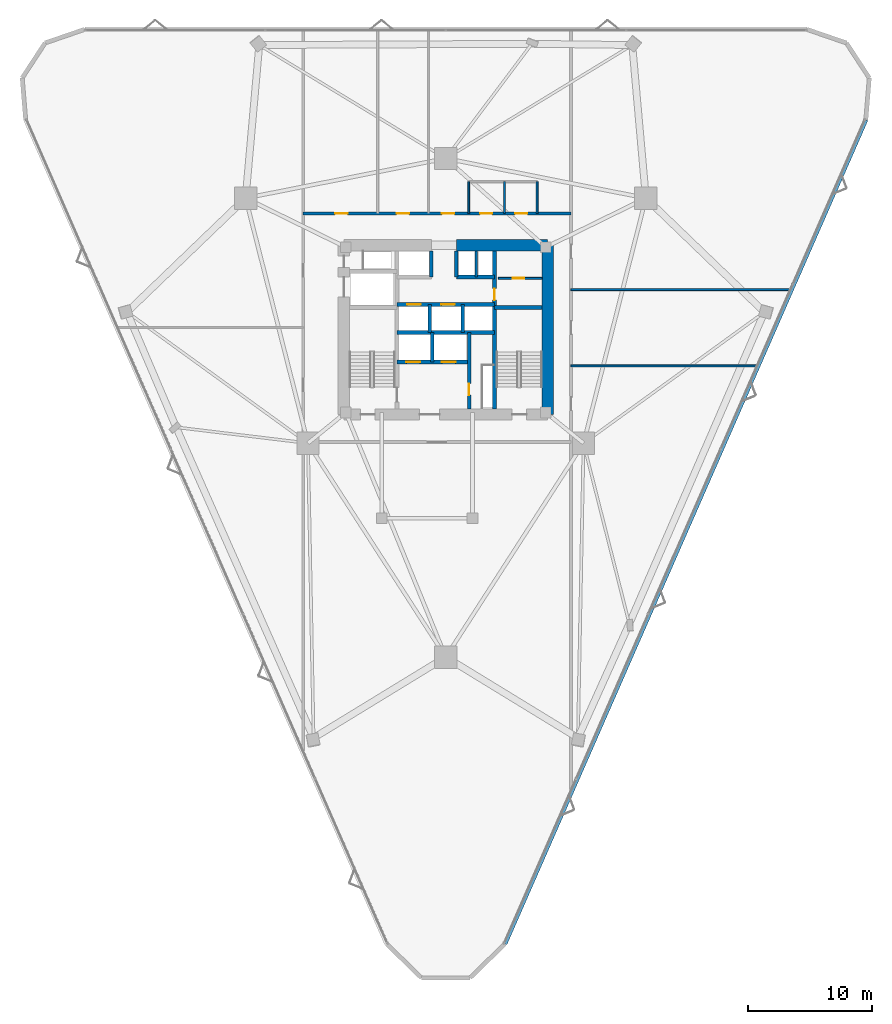
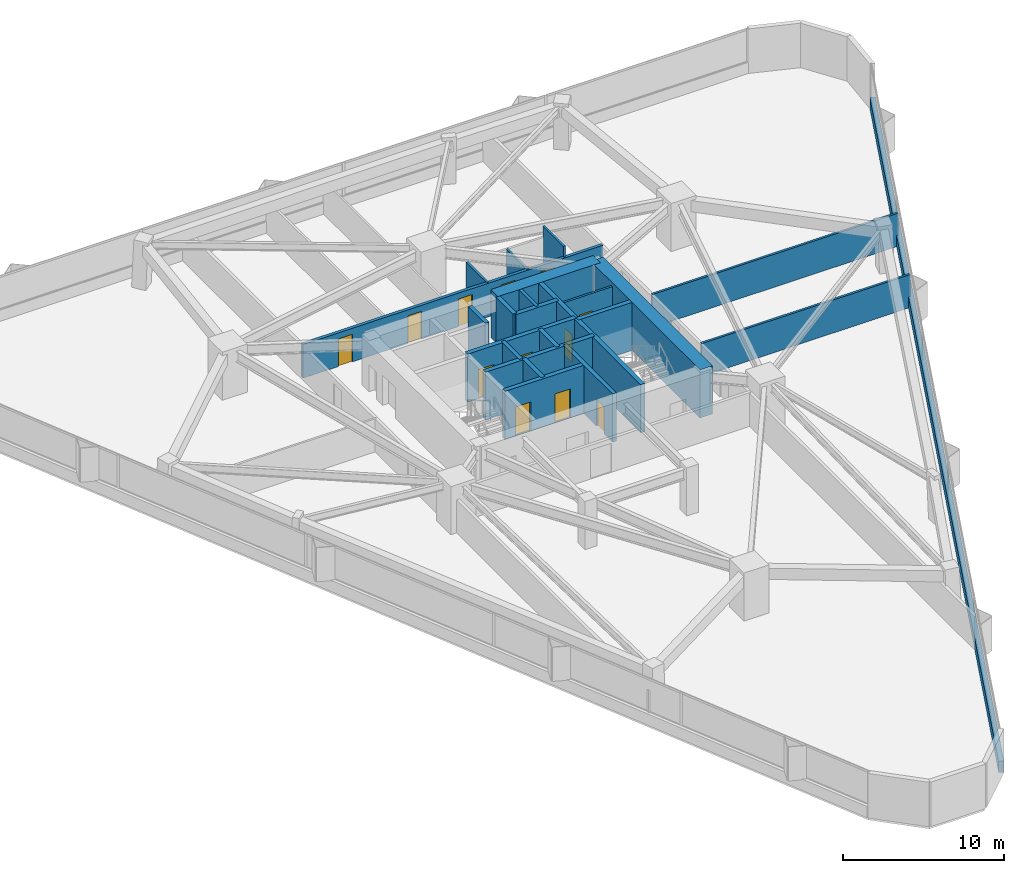
# One storey, part 18 of 20: 23 walls, 12 doors, 12 openings.
"""IFC4 building model written with IfcOpenShell, lengths in metres."""

from ifc_helpers import new_model, si_unit, direction, frame, frame_2d, origin, place, context, subcontext, project, spatial, rectangle, extrude, material, layer, layer_set, type_object, element, fill, save


model = new_model("IFC4")

# Units and contexts
model_context = context("Model", 3, precision=1e-05, world=origin(), true_north=direction((0.0, 1.0)))
body_context = subcontext(model_context, "Body", "Model", "MODEL_VIEW")
ifc_project = project(units=[si_unit("LENGTHUNIT", "METRE"), si_unit("AREAUNIT", "SQUARE_METRE"), si_unit("VOLUMEUNIT", "CUBIC_METRE"), si_unit("PLANEANGLEUNIT", "RADIAN"), si_unit("MASSUNIT", "GRAM", prefix="KILO")], contexts=[model_context])

# Site, building, storey
site_placement = place(None, origin())
site = spatial("IfcSite", under=ifc_project, at=site_placement, CompositionType="ELEMENT")
building_placement = place(site_placement, origin())
building = spatial("IfcBuilding", under=site, at=building_placement, Name="Talyreon Biosciences Tower", CompositionType="ELEMENT")
storey_placement = place(building_placement, frame((0.0, 0.0, 37.39990234375)))
storey = spatial("IfcBuildingStorey", under=building, at=storey_placement, Name="L09", CompositionType="ELEMENT", Elevation=37.39990234375)

# Walls
ifc_material_1 = material(Name="Concrete C50/60", Category="concrete")
ifc_layer_1 = layer(ifc_material_1, 0.219970703125)
ifc_layer_set_1 = layer_set([ifc_layer_1], Name="Concrete C50/60")
wall_type_1 = type_object("IfcWallType", Name="CoreShearWall_220", PredefinedType="SHEAR", material=ifc_layer_set_1)
wall_1_placement = place(storey_placement, frame((68.4599609375, 72.25, 0.0), z_axis=(0.0, 0.0, 1.0), x_axis=(0.0, 1.0, 0.0)))
element("IfcWall", 1, at=wall_1_placement, inside=storey, type_object=wall_type_1, Name="L09 Core Shaft Wall SWPHD", PredefinedType="SHEAR", context=body_context, shape_type="SweptSolid", body=[
    extrude(rectangle(XDim=2.10009765625, YDim=0.219970703125, at=frame_2d((1.050048828125, 0.0))), origin(), (0.0, 0.0, 1.0), 3.650146484375),
])
ifc_layer_2 = layer(ifc_material_1, 0.280029296875)
ifc_layer_set_2 = layer_set([ifc_layer_2], Name="Concrete C50/60")
wall_type_2 = type_object("IfcWallType", Name="CoreShearWall_280", PredefinedType="SHEAR", material=ifc_layer_set_2)
wall_2_placement = place(storey_placement, frame((64.919921875, 65.39990234375, 0.0), z_axis=(0.0, 0.0, 1.0), x_axis=(0.0, 1.0, 0.0)))
element("IfcWall", 2, at=wall_2_placement, inside=storey, type_object=wall_type_2, Name="L09 Core Shaft Wall SWSHD1", PredefinedType="SHEAR", context=body_context, shape_type="SweptSolid", body=[
    extrude(rectangle(XDim=2.400146484375, YDim=0.280029296875, at=frame_2d((1.2001953125, 0.0))), origin(), (0.0, 0.0, 1.0), 3.650146484375),
])
for number, where, z_axis, x_axis, name in (
    (3, (64.85009765625, 72.25, 0.0), (0.0, 0.0, 1.0), (0.0, 1.0, 0.0), "L09 Core Shaft Wall SWTHW"),
    (4, (66.85009765625, 72.25, 0.0), (0.0, 0.0, 1.0), (0.0, 1.0, 0.0), "L09 Core Shaft Wall SWTHE"),
):
    element("IfcWall", number, at=place(storey_placement, frame(where, z_axis=z_axis, x_axis=x_axis)), inside=storey, type_object=wall_type_2, Name=name, PredefinedType="SHEAR", context=body_context, shape_type="SweptSolid", body=[
        extrude(rectangle(XDim=2.10009765625, YDim=0.280029296875, at=frame_2d((1.050048828125, 0.0))), origin(), (0.0, 0.0, 1.0), 3.650146484375),
    ])

# Wall, opening, door
wall_3_placement = place(storey_placement, frame((67.8798828125, 61.64990234375, 0.0), z_axis=(0.0, 0.0, 1.0), x_axis=(0.0, 1.0, 0.0)))
wall_3 = element("IfcWall", 5, at=wall_3_placement, inside=storey, type_object=wall_type_2, Name="L09 Core Shaft Wall SWFFE", PredefinedType="SHEAR", context=body_context, shape_type="SweptSolid", body=[
    extrude(rectangle(XDim=6.150146484375, YDim=0.280029296875, at=frame_2d((3.0751953125, 0.0))), origin(), (0.0, 0.0, 1.0), 3.650146484375),
])
opening_1_placement = place(wall_3_placement, frame((1.10009765625, 0.0, 0.0)))
opening_1 = element("IfcOpeningElement", 6, at=opening_1_placement, cuts=wall_3, Name="Opening DR-L09-RSE", PredefinedType="OPENING", context=body_context, shape_type="SweptSolid", body=[
    extrude(rectangle(XDim=0.919921875, YDim=2.050048828125, at=frame_2d((0.4599609375, 1.02490234375))), frame((0.0, 0.14990234375, 0.0), z_axis=(0.0, -1.0, 0.0), x_axis=(1.0, 0.0, 0.0)), (0.0, 0.0, 1.0), 0.300048828125),
])
ifc_material_2 = material(Name="Painted steel fire-rated riser door", Category="steel")
door_type_1 = type_object("IfcDoorType", Name="RiserPlantAccessDoor_920x2050", OperationType="NOTDEFINED", PredefinedType="DOOR", material=ifc_material_2)
door_1_placement = place(opening_1_placement, origin())
door_1 = element("IfcDoor", 7, at=door_1_placement, inside=storey, type_object=door_type_1, Name="L09 Core Door DR-L09-RSE", OperationType="SINGLE_SWING_RIGHT", OverallHeight=2.050048828125, OverallWidth=0.919921875, PredefinedType="DOOR", context=body_context, shape_type="SweptSolid", body=[
    extrude(rectangle(XDim=0.919921875, YDim=2.050048828125, at=frame_2d((0.4599609375, 1.02490234375))), frame((0.0, 0.02490234375, 0.0), z_axis=(0.0, -1.0, 0.0), x_axis=(1.0, 0.0, 0.0)), (0.0, 0.0, 1.0), 0.050048828125),
])
fill(opening_1, door_1)

# Walls
for number, where, z_axis, x_axis, name in (
    (8, (64.719970703125, 67.800048828125, 0.0), (0.0, 0.0, 1.0), (0.0, 1.0, 0.0), "L09 Core Shaft Wall SWPLD"),
    (9, (67.3798828125, 67.800048828125, 0.0), (0.0, 0.0, 1.0), (0.0, 1.0, 0.0), "L09 Core Shaft Wall SWPMD"),
):
    element("IfcWall", number, at=place(storey_placement, frame(where, z_axis=z_axis, x_axis=x_axis)), inside=storey, type_object=wall_type_2, Name=name, PredefinedType="SHEAR", context=body_context, shape_type="SweptSolid", body=[
        extrude(rectangle(XDim=2.25, YDim=0.280029296875, at=frame_2d((1.125, 0.0))), origin(), (0.0, 0.0, 1.0), 3.650146484375),
    ])

# Wall, opening, door
ifc_layer_3 = layer(ifc_material_1, 0.320068359375)
ifc_layer_set_3 = layer_set([ifc_layer_3], Name="Concrete C50/60")
wall_type_3 = type_object("IfcWallType", Name="CoreShearWall_320", PredefinedType="SHEAR", material=ifc_layer_set_3)
wall_4_placement = place(storey_placement, frame((69.909912109375, 61.64990234375, 0.0), z_axis=(0.0, 0.0, 1.0), x_axis=(0.0, 1.0, 0.0)))
wall_4 = element("IfcWall", 10, at=wall_4_placement, inside=storey, type_object=wall_type_3, Name="L09 Core Shaft Wall SW2W", PredefinedType="SHEAR", context=body_context, shape_type="SweptSolid", body=[
    extrude(rectangle(XDim=12.7001953125, YDim=0.320068359375, at=frame_2d((6.35009765625, 0.0))), origin(), (0.0, 0.0, 1.0), 3.650146484375),
])
opening_2_placement = place(wall_4_placement, frame((8.75, 0.0, 0.0)))
opening_2 = element("IfcOpeningElement", 11, at=opening_2_placement, cuts=wall_4, Name="Opening DR-L09-CSRV", PredefinedType="OPENING", context=body_context, shape_type="SweptSolid", body=[
    extrude(rectangle(XDim=0.919921875, YDim=2.050048828125, at=frame_2d((0.4599609375, 1.02490234375))), frame((0.0, 0.169921875, 0.0), z_axis=(0.0, -1.0, 0.0), x_axis=(1.0, 0.0, 0.0)), (0.0, 0.0, 1.0), 0.340087890625),
])
door_2_placement = place(opening_2_placement, origin())
door_2 = element("IfcDoor", 12, at=door_2_placement, inside=storey, type_object=door_type_1, Name="L09 Core Door DR-L09-CSRV", OperationType="SINGLE_SWING_RIGHT", OverallHeight=2.050048828125, OverallWidth=0.919921875, PredefinedType="DOOR", context=body_context, shape_type="SweptSolid", body=[
    extrude(rectangle(XDim=0.919921875, YDim=2.050048828125, at=frame_2d((0.4599609375, 1.02490234375))), frame((0.0, 0.02490234375, 0.0), z_axis=(0.0, -1.0, 0.0), x_axis=(1.0, 0.0, 0.0)), (0.0, 0.0, 1.0), 0.050048828125),
])
fill(opening_2, door_2)

# Walls
wall_5_placement = place(storey_placement, frame((69.909912109375, 69.81005859375, 0.0), z_axis=(0.0, 0.0, 1.0), x_axis=(1.0, 0.0, 0.0)))
element("IfcWall", 13, at=wall_5_placement, inside=storey, type_object=wall_type_3, Name="L09 Core Shaft Wall SW2N", PredefinedType="SHEAR", context=body_context, shape_type="SweptSolid", body=[
    extrude(rectangle(XDim=3.840087890625, YDim=0.320068359375, at=frame_2d((1.919921875, 0.0))), origin(), (0.0, 0.0, 1.0), 3.650146484375),
])
wall_6_placement = place(storey_placement, frame((62.090087890625, 67.800048828125, 0.0), z_axis=(0.0, 0.0, 1.0), x_axis=(1.0, 0.0, 0.0)))
element("IfcWall", 14, at=wall_6_placement, inside=storey, type_object=wall_type_3, Name="L09 Core Shaft Wall SWSHM", PredefinedType="SHEAR", context=body_context, shape_type="SweptSolid", body=[
    extrude(rectangle(XDim=7.81982421875, YDim=0.320068359375, at=frame_2d((3.909912109375, 0.0))), origin(), (0.0, 0.0, 1.0), 3.650146484375),
])

# Wall, openings, doors
wall_7_placement = place(storey_placement, frame((62.090087890625, 70.050048828125, 0.0), z_axis=(0.0, 0.0, 1.0), x_axis=(1.0, 0.0, 0.0)))
wall_7 = element("IfcWall", 15, at=wall_7_placement, inside=storey, type_object=wall_type_3, Name="L09 Core Shaft Wall SWSPN", PredefinedType="SHEAR", context=body_context, shape_type="SweptSolid", body=[
    extrude(rectangle(XDim=7.81982421875, YDim=0.320068359375, at=frame_2d((3.909912109375, 0.0))), origin(), (0.0, 0.0, 1.0), 3.650146484375),
])
opening_3_placement = place(wall_7_placement, frame((0.800048828125, 0.0, 0.0)))
opening_3 = element("IfcOpeningElement", 16, at=opening_3_placement, cuts=wall_7, Name="Opening LD-L09-PL1", PredefinedType="OPENING", context=body_context, shape_type="SweptSolid", body=[
    extrude(rectangle(XDim=1.10009765625, YDim=2.199951171875, at=frame_2d((0.550048828125, 1.10009765625))), frame((0.0, 0.169921875, 0.0), z_axis=(0.0, -1.0, 0.0), x_axis=(1.0, 0.0, 0.0)), (0.0, 0.0, 1.0), 0.340087890625),
])
opening_4_placement = place(wall_7_placement, frame((3.550048828125, 0.0, 0.0)))
opening_4 = element("IfcOpeningElement", 17, at=opening_4_placement, cuts=wall_7, Name="Opening LD-L09-PL2", PredefinedType="OPENING", context=body_context, shape_type="SweptSolid", body=[
    extrude(rectangle(XDim=1.10009765625, YDim=2.199951171875, at=frame_2d((0.550048828125, 1.10009765625))), frame((0.0, 0.169921875, 0.0), z_axis=(0.0, -1.0, 0.0), x_axis=(1.0, 0.0, 0.0)), (0.0, 0.0, 1.0), 0.340087890625),
])
ifc_material_3 = material(Name="Brushed stainless-steel lift landing door", Category="steel")
door_type_2 = type_object("IfcDoorType", Name="LiftSlidingLandingDoor_1100x2200", OperationType="SLIDING_TO_LEFT", PredefinedType="DOOR", material=ifc_material_3)
door_3_placement = place(opening_3_placement, origin())
door_3 = element("IfcDoor", 18, at=door_3_placement, inside=storey, type_object=door_type_2, Name="L09 Core Door LD-L09-PL1", OperationType="SLIDING_TO_LEFT", OverallHeight=2.199951171875, OverallWidth=1.10009765625, PredefinedType="DOOR", context=body_context, shape_type="SweptSolid", body=[
    extrude(rectangle(XDim=1.10009765625, YDim=2.199951171875, at=frame_2d((0.550048828125, 1.10009765625))), frame((0.0, 0.02490234375, 0.0), z_axis=(0.0, -1.0, 0.0), x_axis=(1.0, 0.0, 0.0)), (0.0, 0.0, 1.0), 0.050048828125),
])
fill(opening_3, door_3)
door_4_placement = place(opening_4_placement, origin())
door_4 = element("IfcDoor", 19, at=door_4_placement, inside=storey, type_object=door_type_2, Name="L09 Core Door LD-L09-PL2", OperationType="SLIDING_TO_LEFT", OverallHeight=2.199951171875, OverallWidth=1.10009765625, PredefinedType="DOOR", context=body_context, shape_type="SweptSolid", body=[
    extrude(rectangle(XDim=1.10009765625, YDim=2.199951171875, at=frame_2d((0.550048828125, 1.10009765625))), frame((0.0, 0.02490234375, 0.0), z_axis=(0.0, -1.0, 0.0), x_axis=(1.0, 0.0, 0.0)), (0.0, 0.0, 1.0), 0.050048828125),
])
fill(opening_4, door_4)

# Wall
wall_8_placement = place(storey_placement, frame((66.85009765625, 72.25, 0.0), z_axis=(0.0, 0.0, 1.0), x_axis=(1.0, 0.0, 0.0)))
element("IfcWall", 20, at=wall_8_placement, inside=storey, type_object=wall_type_3, Name="L09 Core Shaft Wall SWNPE", PredefinedType="SHEAR", context=body_context, shape_type="SweptSolid", body=[
    extrude(rectangle(XDim=3.059814453125, YDim=0.320068359375, at=frame_2d((1.52978515625, 0.0))), origin(), (0.0, 0.0, 1.0), 3.650146484375),
])

# Wall, openings, doors
wall_9_placement = place(storey_placement, frame((62.090087890625, 65.39990234375, 0.0), z_axis=(0.0, 0.0, 1.0), x_axis=(1.0, 0.0, 0.0)))
wall_9 = element("IfcWall", 21, at=wall_9_placement, inside=storey, type_object=wall_type_3, Name="L09 Core Shaft Wall SWFFN", PredefinedType="SHEAR", context=body_context, shape_type="SweptSolid", body=[
    extrude(rectangle(XDim=5.789794921875, YDim=0.320068359375, at=frame_2d((2.89501953125, 0.0))), origin(), (0.0, 0.0, 1.0), 3.650146484375),
])
opening_5_placement = place(wall_9_placement, frame((0.75, 0.0, 0.0)))
opening_5 = element("IfcOpeningElement", 22, at=opening_5_placement, cuts=wall_9, Name="Opening LD-L09-FL1", PredefinedType="OPENING", context=body_context, shape_type="SweptSolid", body=[
    extrude(rectangle(XDim=1.10009765625, YDim=2.199951171875, at=frame_2d((0.550048828125, 1.10009765625))), frame((0.0, 0.169921875, 0.0), z_axis=(0.0, -1.0, 0.0), x_axis=(1.0, 0.0, 0.0)), (0.0, 0.0, 1.0), 0.340087890625),
])
opening_6_placement = place(wall_9_placement, frame((3.60009765625, 0.0, 0.0)))
opening_6 = element("IfcOpeningElement", 23, at=opening_6_placement, cuts=wall_9, Name="Opening LD-L09-FL2", PredefinedType="OPENING", context=body_context, shape_type="SweptSolid", body=[
    extrude(rectangle(XDim=1.10009765625, YDim=2.199951171875, at=frame_2d((0.550048828125, 1.10009765625))), frame((0.0, 0.169921875, 0.0), z_axis=(0.0, -1.0, 0.0), x_axis=(1.0, 0.0, 0.0)), (0.0, 0.0, 1.0), 0.340087890625),
])
door_5_placement = place(opening_5_placement, origin())
door_5 = element("IfcDoor", 24, at=door_5_placement, inside=storey, type_object=door_type_2, Name="L09 Core Door LD-L09-FL1", OperationType="SLIDING_TO_LEFT", OverallHeight=2.199951171875, OverallWidth=1.10009765625, PredefinedType="DOOR", context=body_context, shape_type="SweptSolid", body=[
    extrude(rectangle(XDim=1.10009765625, YDim=2.199951171875, at=frame_2d((0.550048828125, 1.10009765625))), frame((0.0, 0.02490234375, 0.0), z_axis=(0.0, -1.0, 0.0), x_axis=(1.0, 0.0, 0.0)), (0.0, 0.0, 1.0), 0.050048828125),
])
fill(opening_5, door_5)
door_6_placement = place(opening_6_placement, origin())
door_6 = element("IfcDoor", 25, at=door_6_placement, inside=storey, type_object=door_type_2, Name="L09 Core Door LD-L09-FL2", OperationType="SLIDING_TO_LEFT", OverallHeight=2.199951171875, OverallWidth=1.10009765625, PredefinedType="DOOR", context=body_context, shape_type="SweptSolid", body=[
    extrude(rectangle(XDim=1.10009765625, YDim=2.199951171875, at=frame_2d((0.550048828125, 1.10009765625))), frame((0.0, 0.02490234375, 0.0), z_axis=(0.0, -1.0, 0.0), x_axis=(1.0, 0.0, 0.0)), (0.0, 0.0, 1.0), 0.050048828125),
])
fill(opening_6, door_6)

# Walls
ifc_material_4 = material(Name="Concrete C60/75", Category="concrete")
ifc_layer_4 = layer(ifc_material_4, 0.89990234375)
ifc_layer_set_4 = layer_set([ifc_layer_4], Name="Concrete C60/75")
wall_type_4 = type_object("IfcWallType", Name="CoreShearWall_900", PredefinedType="SHEAR", material=ifc_layer_set_4)
wall_10_placement = place(storey_placement, frame((74.199951171875, 61.199951171875, 0.0), z_axis=(0.0, 0.0, 1.0), x_axis=(0.0, 1.0, 0.0)))
element("IfcWall", 26, at=wall_10_placement, inside=storey, type_object=wall_type_4, Name="L09 Core Shear Wall E", PredefinedType="SHEAR", context=body_context, shape_type="SweptSolid", body=[
    extrude(rectangle(XDim=13.60009765625, YDim=0.89990234375, at=frame_2d((6.800048828125, 0.0))), origin(), (0.0, 0.0, 1.0), 3.650146484375),
])
wall_11_placement = place(storey_placement, frame((74.199951171875, 74.800048828125, 0.0), z_axis=(0.0, 0.0, 1.0), x_axis=(-1.0, 0.0, 0.0)))
element("IfcWall", 27, at=wall_11_placement, inside=storey, type_object=wall_type_4, Name="L09 Core Shear Wall NE", PredefinedType="SHEAR", context=body_context, shape_type="SweptSolid", body=[
    extrude(rectangle(XDim=7.349853515625, YDim=0.89990234375, at=frame_2d((3.6748046875, 0.0))), origin(), (0.0, 0.0, 1.0), 3.650146484375),
])

# Wall, openings, doors
ifc_material_5 = material(Name="Gypsum fireboard acoustic stud", Category="gypsum")
ifc_layer_5 = layer(ifc_material_5, 0.219970703125)
ifc_layer_set_5 = layer_set([ifc_layer_5], Name="Gypsum fireboard acoustic stud")
wall_type_5 = type_object("IfcWallType", Name="CorridorRatedPartition_220", PredefinedType="PARTITIONING", material=ifc_layer_set_5)
wall_12_placement = place(storey_placement, frame((54.530029296875, 77.3701171875, 0.0), z_axis=(0.0, 0.0, 1.0), x_axis=(1.0, 0.0, 0.0)))
wall_12 = element("IfcWall", 28, at=wall_12_placement, inside=storey, type_object=wall_type_5, Name="L09 Interior Wall IW-L09-COR-N", PredefinedType="PARTITIONING", context=body_context, shape_type="SweptSolid", body=[
    extrude(rectangle(XDim=21.5400390625, YDim=0.219970703125, at=frame_2d((10.77001953125, 0.0))), origin(), (0.0, 0.0, 1.0), 2.55517578125),
])
opening_7_placement = place(wall_12_placement, frame((14.22998046875, 0.0, 0.0)))
opening_7 = element("IfcOpeningElement", 29, at=opening_7_placement, cuts=wall_12, Name="Opening DR-L09-WC", PredefinedType="OPENING", context=body_context, shape_type="SweptSolid", body=[
    extrude(rectangle(XDim=0.97998046875, YDim=2.10009765625, at=frame_2d((0.489990234375, 1.050048828125))), frame((0.0, 0.119873046875, 0.0), z_axis=(0.0, -1.0, 0.0), x_axis=(1.0, 0.0, 0.0)), (0.0, 0.0, 1.0), 0.239990234375),
])
opening_8_placement = place(wall_12_placement, frame((17.054931640625, 0.0, 0.0)))
opening_8 = element("IfcOpeningElement", 30, at=opening_8_placement, cuts=wall_12, Name="Opening DR-L09-AWC", PredefinedType="OPENING", context=body_context, shape_type="SweptSolid", body=[
    extrude(rectangle(XDim=0.97998046875, YDim=2.10009765625, at=frame_2d((0.489990234375, 1.050048828125))), frame((0.0, 0.119873046875, 0.0), z_axis=(0.0, -1.0, 0.0), x_axis=(1.0, 0.0, 0.0)), (0.0, 0.0, 1.0), 0.239990234375),
])
opening_9_placement = place(wall_12_placement, frame((2.56494140625, 0.0, 0.0)))
opening_9 = element("IfcOpeningElement", 31, at=opening_9_placement, cuts=wall_12, Name="Opening DR-L09-N1A", PredefinedType="OPENING", context=body_context, shape_type="SweptSolid", body=[
    extrude(rectangle(XDim=1.0, YDim=2.10009765625, at=frame_2d((0.5, 1.050048828125))), frame((0.0, 0.119873046875, 0.0), z_axis=(0.0, -1.0, 0.0), x_axis=(1.0, 0.0, 0.0)), (0.0, 0.0, 1.0), 0.239990234375),
])
opening_10_placement = place(wall_12_placement, frame((7.52490234375, 0.0, 0.0)))
opening_10 = element("IfcOpeningElement", 32, at=opening_10_placement, cuts=wall_12, Name="Opening DR-L09-N2A", PredefinedType="OPENING", context=body_context, shape_type="SweptSolid", body=[
    extrude(rectangle(XDim=1.0, YDim=2.10009765625, at=frame_2d((0.5, 1.050048828125))), frame((0.0, 0.119873046875, 0.0), z_axis=(0.0, -1.0, 0.0), x_axis=(1.0, 0.0, 0.0)), (0.0, 0.0, 1.0), 0.239990234375),
])
opening_11_placement = place(wall_12_placement, frame((11.155029296875, 0.0, 0.0)))
opening_11 = element("IfcOpeningElement", 33, at=opening_11_placement, cuts=wall_12, Name="Opening DR-L09-N3A", PredefinedType="OPENING", context=body_context, shape_type="SweptSolid", body=[
    extrude(rectangle(XDim=1.0, YDim=2.10009765625, at=frame_2d((0.5, 1.050048828125))), frame((0.0, 0.119873046875, 0.0), z_axis=(0.0, -1.0, 0.0), x_axis=(1.0, 0.0, 0.0)), (0.0, 0.0, 1.0), 0.239990234375),
])
ifc_material_6 = material(Name="Laminate moisture-resistant door", Category="wood")
door_type_3 = type_object("IfcDoorType", Name="AccessibleToiletDoor_980x2100", OperationType="NOTDEFINED", PredefinedType="DOOR", material=ifc_material_6)
door_7_placement = place(opening_7_placement, origin())
door_7 = element("IfcDoor", 34, at=door_7_placement, inside=storey, type_object=door_type_3, Name="L09 Interior Door DR-L09-WC", OperationType="SINGLE_SWING_RIGHT", OverallHeight=2.10009765625, OverallWidth=0.97998046875, PredefinedType="DOOR", context=body_context, shape_type="SweptSolid", body=[
    extrude(rectangle(XDim=0.97998046875, YDim=2.10009765625, at=frame_2d((0.489990234375, 1.050048828125))), frame((0.0, 0.02490234375, 0.0), z_axis=(0.0, -1.0, 0.0), x_axis=(1.0, 0.0, 0.0)), (0.0, 0.0, 1.0), 0.050048828125),
])
fill(opening_7, door_7)
door_8_placement = place(opening_8_placement, origin())
door_8 = element("IfcDoor", 35, at=door_8_placement, inside=storey, type_object=door_type_3, Name="L09 Interior Door DR-L09-AWC", OperationType="SINGLE_SWING_RIGHT", OverallHeight=2.10009765625, OverallWidth=0.97998046875, PredefinedType="DOOR", context=body_context, shape_type="SweptSolid", body=[
    extrude(rectangle(XDim=0.97998046875, YDim=2.10009765625, at=frame_2d((0.489990234375, 1.050048828125))), frame((0.0, 0.02490234375, 0.0), z_axis=(0.0, -1.0, 0.0), x_axis=(1.0, 0.0, 0.0)), (0.0, 0.0, 1.0), 0.050048828125),
])
fill(opening_8, door_8)
ifc_material_7 = material(Name="Acoustic oak veneer office door", Category="wood")
door_type_4 = type_object("IfcDoorType", Name="WriteupOfficeDoor_1000x2100", OperationType="NOTDEFINED", PredefinedType="DOOR", material=ifc_material_7)
door_9_placement = place(opening_9_placement, origin())
door_9 = element("IfcDoor", 36, at=door_9_placement, inside=storey, type_object=door_type_4, Name="L09 Interior Door DR-L09-N1A", OperationType="SINGLE_SWING_RIGHT", OverallHeight=2.10009765625, OverallWidth=1.0, PredefinedType="DOOR", context=body_context, shape_type="SweptSolid", body=[
    extrude(rectangle(XDim=1.0, YDim=2.10009765625, at=frame_2d((0.5, 1.050048828125))), frame((0.0, 0.02490234375, 0.0), z_axis=(0.0, -1.0, 0.0), x_axis=(1.0, 0.0, 0.0)), (0.0, 0.0, 1.0), 0.050048828125),
])
fill(opening_9, door_9)
door_10_placement = place(opening_10_placement, origin())
door_10 = element("IfcDoor", 37, at=door_10_placement, inside=storey, type_object=door_type_4, Name="L09 Interior Door DR-L09-N2A", OperationType="SINGLE_SWING_LEFT", OverallHeight=2.10009765625, OverallWidth=1.0, PredefinedType="DOOR", context=body_context, shape_type="SweptSolid", body=[
    extrude(rectangle(XDim=1.0, YDim=2.10009765625, at=frame_2d((0.5, 1.050048828125))), frame((0.0, 0.02490234375, 0.0), z_axis=(0.0, -1.0, 0.0), x_axis=(1.0, 0.0, 0.0)), (0.0, 0.0, 1.0), 0.050048828125),
])
fill(opening_10, door_10)
door_11_placement = place(opening_11_placement, origin())
door_11 = element("IfcDoor", 38, at=door_11_placement, inside=storey, type_object=door_type_4, Name="L09 Interior Door DR-L09-N3A", OperationType="SINGLE_SWING_RIGHT", OverallHeight=2.10009765625, OverallWidth=1.0, PredefinedType="DOOR", context=body_context, shape_type="SweptSolid", body=[
    extrude(rectangle(XDim=1.0, YDim=2.10009765625, at=frame_2d((0.5, 1.050048828125))), frame((0.0, 0.02490234375, 0.0), z_axis=(0.0, -1.0, 0.0), x_axis=(1.0, 0.0, 0.0)), (0.0, 0.0, 1.0), 0.050048828125),
])
fill(opening_11, door_11)

# Wall, opening, door
ifc_material_8 = material(Name="Gypsum acoustic stud partition", Category="gypsum")
ifc_layer_6 = layer(ifc_material_8, 0.159912109375)
ifc_layer_set_6 = layer_set([ifc_layer_6], Name="Gypsum acoustic stud partition")
wall_type_6 = type_object("IfcWallType", Name="LabSeparationPartition_160", PredefinedType="PARTITIONING", material=ifc_layer_set_6)
wall_13_placement = place(storey_placement, frame((70.22998046875, 72.14990234375, 0.0), z_axis=(0.0, 0.0, 1.0), x_axis=(1.0, 0.0, 0.0)))
wall_13 = element("IfcWall", 39, at=wall_13_placement, inside=storey, type_object=wall_type_6, Name="L09 Interior Wall IW-L09-CSRV-H", PredefinedType="PARTITIONING", context=body_context, shape_type="SweptSolid", body=[
    extrude(rectangle(XDim=3.52001953125, YDim=0.159912109375, at=frame_2d((1.760009765625, 0.0))), origin(), (0.0, 0.0, 1.0), 3.375),
])
opening_12_placement = place(wall_13_placement, frame((1.14990234375, 0.0, 0.0)))
opening_12 = element("IfcOpeningElement", 40, at=opening_12_placement, cuts=wall_13, Name="Opening DR-L09-CSRV-I", PredefinedType="OPENING", context=body_context, shape_type="SweptSolid", body=[
    extrude(rectangle(XDim=0.919921875, YDim=2.050048828125, at=frame_2d((0.4599609375, 1.02490234375))), frame((0.0, 0.08984375, 0.0), z_axis=(0.0, -1.0, 0.0), x_axis=(1.0, 0.0, 0.0)), (0.0, 0.0, 1.0), 0.179931640625),
])
door_12_placement = place(opening_12_placement, origin())
door_12 = element("IfcDoor", 41, at=door_12_placement, inside=storey, type_object=door_type_1, Name="L09 Interior Door DR-L09-CSRV-I", OperationType="SINGLE_SWING_LEFT", OverallHeight=2.050048828125, OverallWidth=0.919921875, PredefinedType="DOOR", context=body_context, shape_type="SweptSolid", body=[
    extrude(rectangle(XDim=0.919921875, YDim=2.050048828125, at=frame_2d((0.4599609375, 1.02490234375))), frame((0.0, 0.02490234375, 0.0), z_axis=(0.0, -1.0, 0.0), x_axis=(1.0, 0.0, 0.0)), (0.0, 0.0, 1.0), 0.050048828125),
])
fill(opening_12, door_12)

# Walls
wall_14_placement = place(storey_placement, frame((76.070068359375, 65.110107421875, 0.0), z_axis=(0.0, 0.0, 1.0), x_axis=(1.0, 0.0, 0.0)))
element("IfcWall", 42, at=wall_14_placement, inside=storey, type_object=wall_type_6, Name="L09 Interior Wall IW-L09-EDIV1", PredefinedType="PARTITIONING", context=body_context, shape_type="SweptSolid", body=[
    extrude(rectangle(XDim=14.977294921875, YDim=0.159912109375, at=frame_2d((7.48876953125, 0.0))), origin(), (0.0, 0.0, 1.0), 2.505126953125),
])
wall_15_placement = place(storey_placement, frame((76.070068359375, 71.239990234375, 0.0), z_axis=(0.0, 0.0, 1.0), x_axis=(1.0, 0.0, 0.0)))
element("IfcWall", 43, at=wall_15_placement, inside=storey, type_object=wall_type_6, Name="L09 Interior Wall IW-L09-EDIV2", PredefinedType="PARTITIONING", context=body_context, shape_type="SweptSolid", body=[
    extrude(rectangle(XDim=17.662353515625, YDim=0.159912109375, at=frame_2d((8.8310546875, 0.0))), origin(), (0.0, 0.0, 1.0), 2.505126953125),
])
ifc_material_9 = material(Name="Precast concrete C45/55", Category="concrete")
ifc_layer_7 = layer(ifc_material_9, 0.340087890625)
ifc_layer_set_7 = layer_set([ifc_layer_7], Name="Precast concrete C45/55")
wall_type_7 = type_object("IfcWallType", Name="PrecastConcreteSpandrelWall_340", PredefinedType="STANDARD", material=ifc_layer_set_7)
wall_16_placement = place(storey_placement, frame((99.80908203125, 84.901123046875, 0.0), z_axis=(0.0, 0.0, 1.0), x_axis=(-0.40122003264, -0.915981705826, 0.0)))
element("IfcWall", 44, at=wall_16_placement, inside=storey, type_object=wall_type_7, Name="L09 Expressed Concrete Sill Wall 08", PredefinedType="STANDARD", context=body_context, shape_type="SweptSolid", body=[
    extrude(rectangle(XDim=72.39404296875, YDim=0.340087890625, at=frame_2d((36.197021484375, 0.0))), origin(), (0.0, 0.0, 1.0), 0.85009765625),
])
ifc_material_10 = material(Name="Moisture-resistant cement-board stud", Category="gypsum")
ifc_layer_8 = layer(ifc_material_10, 0.14501953125)
ifc_layer_set_8 = layer_set([ifc_layer_8], Name="Moisture-resistant cement-board stud")
wall_type_8 = type_object("IfcWallType", Name="WetRoomPartition_145", PredefinedType="PARTITIONING", material=ifc_layer_set_8)
for number, where, z_axis, x_axis, name in (
    (45, (67.85009765625, 77.3701171875, 0.0), (0.0, 0.0, 1.0), (0.0, 1.0, 0.0), "L09 Interior Wall IW-L09-WCL"),
    (46, (70.72509765625, 77.3701171875, 0.0), (0.0, 0.0, 1.0), (0.0, 1.0, 0.0), "L09 Interior Wall IW-L09-WCM"),
):
    element("IfcWall", number, at=place(storey_placement, frame(where, z_axis=z_axis, x_axis=x_axis)), inside=storey, type_object=wall_type_8, Name=name, PredefinedType="PARTITIONING", context=body_context, shape_type="SweptSolid", body=[
        extrude(rectangle(XDim=2.5498046875, YDim=0.14501953125, at=frame_2d((1.27490234375, 0.0))), origin(), (0.0, 0.0, 1.0), 2.55517578125),
    ])
wall_17_placement = place(storey_placement, frame((73.35009765625, 77.3701171875, 0.0), z_axis=(0.0, 0.0, 1.0), x_axis=(0.0, 1.0, 0.0)))
element("IfcWall", 47, at=wall_17_placement, inside=storey, type_object=wall_type_8, Name="L09 Interior Wall IW-L09-WCR", PredefinedType="PARTITIONING", context=body_context, shape_type="SweptSolid", body=[
    extrude(rectangle(XDim=2.5498046875, YDim=0.14501953125, at=frame_2d((1.27490234375, 0.0))), origin(), (0.0, 0.0, 1.0), 3.375),
])

save(model, "model.ifc")
